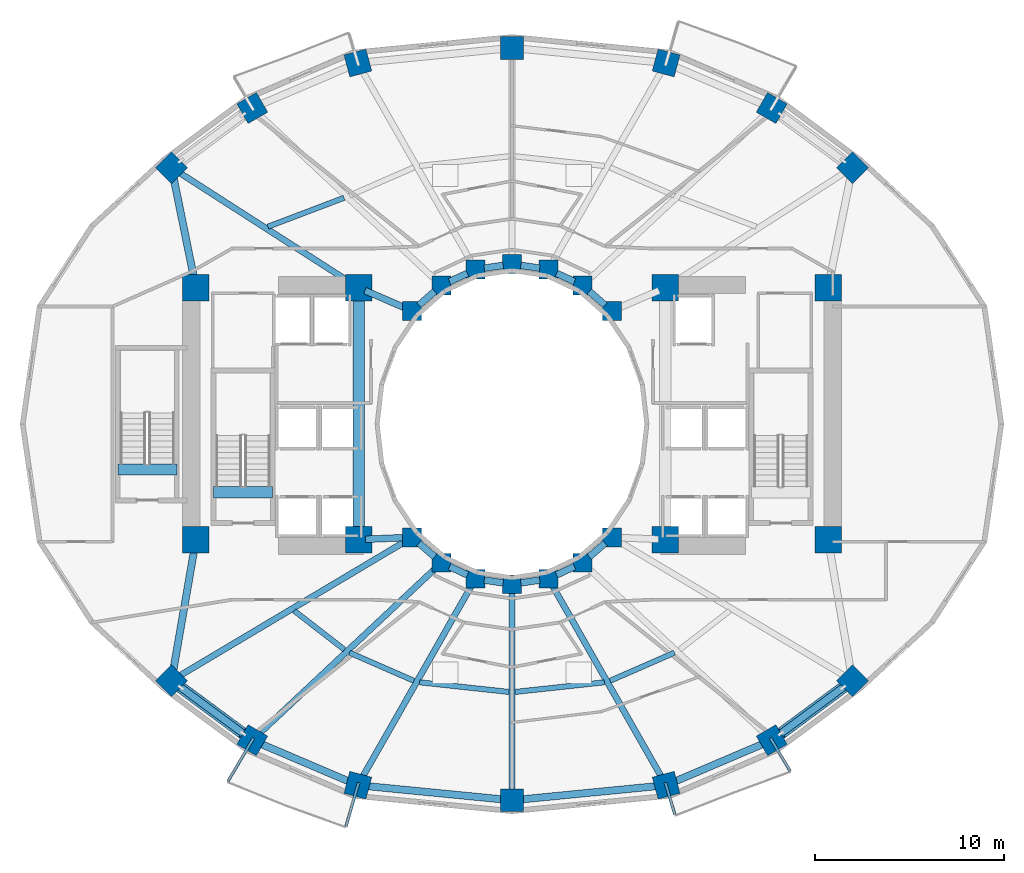
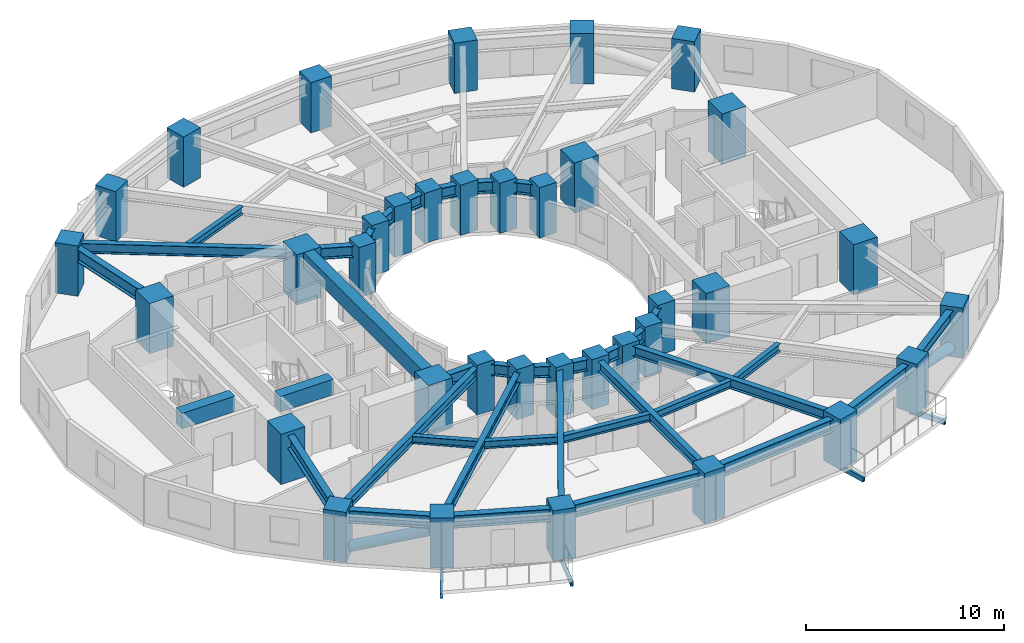
# One storey, part 1 of 10: 41 beams, 36 columns, 2 members.
"""IFC4 building model written with IfcOpenShell, lengths in metres."""

from ifc_helpers import new_model, si_unit, direction, frame, origin, origin_2d, place, context, subcontext, project, spatial, rectangle, hollow_rectangle, hollow_circle, i_section, extrude, material, material_profile, profile_set, type_object, element, save


model = new_model("IFC4")

# Units and contexts
model_context = context("Model", 3, precision=1e-05, world=origin(), true_north=direction((0.0, 1.0)))
body_context = subcontext(model_context, "Body", "Model", "MODEL_VIEW")
ifc_project = project(units=[si_unit("LENGTHUNIT", "METRE"), si_unit("AREAUNIT", "SQUARE_METRE"), si_unit("VOLUMEUNIT", "CUBIC_METRE"), si_unit("PLANEANGLEUNIT", "RADIAN"), si_unit("MASSUNIT", "GRAM", prefix="KILO")], contexts=[model_context])

# Site, building, storey
site_placement = place(None, origin())
site = spatial("IfcSite", under=ifc_project, at=site_placement, CompositionType="ELEMENT")
building_placement = place(site_placement, origin())
building = spatial("IfcBuilding", under=site, at=building_placement, Name="Solvane Sanctuary Tower", CompositionType="ELEMENT")
storey_placement = place(building_placement, frame((0.0, 0.0, 30.699951171875)))
storey = spatial("IfcBuildingStorey", under=building, at=storey_placement, Name="L08", CompositionType="ELEMENT", Elevation=30.699951171875)

# Columns
ifc_material_1 = material(Name="Concrete C70/85", Category="concrete")
ifc_material_profile_1 = material_profile(ifc_material_1, rectangle(XDim=1.39990234375, YDim=1.39990234375, at=origin_2d()), Name="RC1400X1400")
ifc_profile_set_1 = profile_set([ifc_material_profile_1], Name="Concrete C70/85")
column_type_1 = type_object("IfcColumnType", Name="Column C-POD-INT RC1400X1400", PredefinedType="COLUMN", material=ifc_profile_set_1)
for number, where, z_axis, x_axis, name in (
    (1, (15.300048828125, 16.89990234375, 0.0), (0.0, 0.0, 1.0), (1.0, 0.0, 0.0), "L08 Core Corner Column CW1"),
    (2, (23.89990234375, 16.89990234375, 0.0), (0.0, 0.0, 1.0), (1.0, 0.0, 0.0), "L08 Core Corner Column CW2"),
    (3, (23.89990234375, 30.199951171875, 0.0), (0.0, 0.0, 1.0), (1.0, 0.0, 0.0), "L08 Core Corner Column CW3"),
    (4, (15.300048828125, 30.199951171875, 0.0), (0.0, 0.0, 1.0), (1.0, 0.0, 0.0), "L08 Core Corner Column CW4"),
    (5, (40.10009765625, 16.89990234375, 0.0), (0.0, 0.0, 1.0), (1.0, 0.0, 0.0), "L08 Core Corner Column CE1"),
    (6, (48.699951171875, 16.89990234375, 0.0), (0.0, 0.0, 1.0), (1.0, 0.0, 0.0), "L08 Core Corner Column CE2"),
    (7, (48.699951171875, 30.199951171875, 0.0), (0.0, 0.0, 1.0), (1.0, 0.0, 0.0), "L08 Core Corner Column CE3"),
    (8, (40.10009765625, 30.199951171875, 0.0), (0.0, 0.0, 1.0), (1.0, 0.0, 0.0), "L08 Core Corner Column CE4"),
):
    element("IfcColumn", number, at=place(storey_placement, frame(where, z_axis=z_axis, x_axis=x_axis)), inside=storey, type_object=column_type_1, Name=name, PredefinedType="COLUMN", context=body_context, shape_type="SweptSolid", body=[
        extrude(rectangle(XDim=1.39990234375, YDim=1.39990234375, at=origin_2d()), origin(), (0.0, 0.0, 1.0), 3.10009765625),
    ])
ifc_material_profile_2 = material_profile(ifc_material_1, rectangle(XDim=1.0, YDim=1.0, at=origin_2d()), Name="RC1000X1000")
ifc_profile_set_2 = profile_set([ifc_material_profile_2], Name="Concrete C70/85")
column_type_2 = type_object("IfcColumnType", Name="Column C-RING-Z1 RC1000X1000", PredefinedType="COLUMN", material=ifc_profile_set_2)
for number, where, z_axis, x_axis, name in (
    (9, (37.27490234375, 28.982177734375, 0.0), (0.0, 0.0, 1.0), (1.0, 0.0, 0.0), "L08 Inner Light-Well Ring Column IC01"),
    (10, (35.72998046875, 30.32666015625, 0.0), (0.0, 0.0, 1.0), (1.0, 0.0, 0.0), "L08 Inner Light-Well Ring Column IC02"),
    (11, (33.930908203125, 31.171630859375, 0.0), (0.0, 0.0, 1.0), (1.0, 0.0, 0.0), "L08 Inner Light-Well Ring Column IC03"),
    (12, (32.0, 31.4599609375, 0.0), (0.0, 0.0, 1.0), (1.0, 0.0, 0.0), "L08 Inner Light-Well Ring Column IC04"),
    (13, (30.069091796875, 31.171630859375, 0.0), (0.0, 0.0, 1.0), (1.0, 0.0, 0.0), "L08 Inner Light-Well Ring Column IC05"),
    (14, (28.27001953125, 30.32666015625, 0.0), (0.0, 0.0, 1.0), (1.0, 0.0, 0.0), "L08 Inner Light-Well Ring Column IC06"),
    (15, (26.72509765625, 28.982177734375, 0.0), (0.0, 0.0, 1.0), (1.0, 0.0, 0.0), "L08 Inner Light-Well Ring Column IC07"),
    (16, (26.72509765625, 17.017822265625, 0.0), (0.0, 0.0, 1.0), (1.0, 0.0, 0.0), "L08 Inner Light-Well Ring Column IC08"),
    (17, (28.27001953125, 15.67333984375, 0.0), (0.0, 0.0, 1.0), (1.0, 0.0, 0.0), "L08 Inner Light-Well Ring Column IC09"),
    (18, (30.069091796875, 14.828369140625, 0.0), (0.0, 0.0, 1.0), (1.0, 0.0, 0.0), "L08 Inner Light-Well Ring Column IC10"),
    (19, (32.0, 14.5400390625, 0.0), (0.0, 0.0, 1.0), (1.0, 0.0, 0.0), "L08 Inner Light-Well Ring Column IC11"),
    (20, (33.930908203125, 14.828369140625, 0.0), (0.0, 0.0, 1.0), (1.0, 0.0, 0.0), "L08 Inner Light-Well Ring Column IC12"),
    (21, (35.72998046875, 15.67333984375, 0.0), (0.0, 0.0, 1.0), (1.0, 0.0, 0.0), "L08 Inner Light-Well Ring Column IC13"),
    (22, (37.27490234375, 17.017822265625, 0.0), (0.0, 0.0, 1.0), (1.0, 0.0, 0.0), "L08 Inner Light-Well Ring Column IC14"),
):
    element("IfcColumn", number, at=place(storey_placement, frame(where, z_axis=z_axis, x_axis=x_axis)), inside=storey, type_object=column_type_2, Name=name, PredefinedType="COLUMN", context=body_context, shape_type="SweptSolid", body=[
        extrude(rectangle(XDim=1.0, YDim=1.0, at=origin_2d()), origin(), (0.0, 0.0, 1.0), 3.10009765625),
    ])
ifc_material_profile_3 = material_profile(ifc_material_1, rectangle(XDim=1.199951171875, YDim=1.199951171875, at=origin_2d()), Name="RC1200X1200")
ifc_profile_set_3 = profile_set([ifc_material_profile_3], Name="Concrete C70/85")
column_type_3 = type_object("IfcColumnType", Name="Column C-TUBE-Z1 RC1200X1200", PredefinedType="COLUMN", material=ifc_profile_set_3)
for number, where, z_axis, x_axis, name in (
    (23, (49.99169921875, 36.5537109375, 0.0), (0.0, 0.0, 1.0), (0.707106781187, 0.707106781187, 0.0), "L08 Perimeter Tube Column TC01"),
    (24, (45.727294921875, 39.7041015625, 0.0), (0.0, 0.0, 1.0), (0.5, 0.866025403784, 0.0), "L08 Perimeter Tube Column TC02"),
    (25, (40.14501953125, 42.083740234375, 0.0), (0.0, 0.0, 1.0), (0.258819045103, 0.965925826289, 0.0), "L08 Perimeter Tube Column TC03"),
    (26, (32.0, 42.8798828125, 0.0), (0.0, 0.0, 1.0), (0.0, 1.0, 0.0), "L08 Perimeter Tube Column TC04"),
    (27, (23.85498046875, 42.083740234375, 0.0), (0.0, 0.0, 1.0), (-0.258819045103, 0.965925826289, 0.0), "L08 Perimeter Tube Column TC05"),
    (28, (18.272705078125, 39.7041015625, 0.0), (0.0, 0.0, 1.0), (-0.5, 0.866025403784, 0.0), "L08 Perimeter Tube Column TC06"),
    (29, (14.00830078125, 36.5537109375, 0.0), (0.0, 0.0, 1.0), (-0.707106781187, 0.707106781187, 0.0), "L08 Perimeter Tube Column TC07"),
    (30, (14.00830078125, 9.4462890625, 0.0), (0.0, 0.0, 1.0), (-0.707106781187, -0.707106781187, 0.0), "L08 Perimeter Tube Column TC08"),
    (31, (18.272705078125, 6.2958984375, 0.0), (0.0, 0.0, 1.0), (-0.5, -0.866025403784, 0.0), "L08 Perimeter Tube Column TC09"),
    (32, (23.85498046875, 3.916259765625, 0.0), (0.0, 0.0, 1.0), (-0.258819045103, -0.965925826289, 0.0), "L08 Perimeter Tube Column TC10"),
    (33, (32.0, 3.1201171875, 0.0), (0.0, 0.0, 1.0), (0.0, -1.0, 0.0), "L08 Perimeter Tube Column TC11"),
    (34, (40.14501953125, 3.916259765625, 0.0), (0.0, 0.0, 1.0), (0.258819045103, -0.965925826289, 0.0), "L08 Perimeter Tube Column TC12"),
    (35, (45.727294921875, 6.2958984375, 0.0), (0.0, 0.0, 1.0), (0.5, -0.866025403784, 0.0), "L08 Perimeter Tube Column TC13"),
    (36, (49.99169921875, 9.4462890625, 0.0), (0.0, 0.0, 1.0), (0.707106781187, -0.707106781187, 0.0), "L08 Perimeter Tube Column TC14"),
):
    element("IfcColumn", number, at=place(storey_placement, frame(where, z_axis=z_axis, x_axis=x_axis)), inside=storey, type_object=column_type_3, Name=name, PredefinedType="COLUMN", context=body_context, shape_type="SweptSolid", body=[
        extrude(rectangle(XDim=1.199951171875, YDim=1.199951171875, at=origin_2d()), origin(), (0.0, 0.0, 1.0), 3.10009765625),
    ])

# Beams
ifc_material_2 = material(Name="Steel ASTM A500 Grade C", Category="steel")
ifc_material_profile_4 = material_profile(ifc_material_2, hollow_rectangle(XDim=0.14990234375, YDim=0.300048828125, WallThickness=0.010009765625, at=origin_2d()), Name="HSS300X150X10")
ifc_profile_set_4 = profile_set([ifc_material_profile_4], Name="Steel ASTM A500 Grade C")
beam_type_1 = type_object("IfcBeamType", Name="Beam B-BALC-BRK HSS300X150X10", PredefinedType="BEAM", material=ifc_profile_set_4)
beam_1_placement = place(storey_placement, frame((18.349365234375, 6.425048828125, -0.3720703125), z_axis=(-0.509702447383, -0.860350751224, 0.0), x_axis=(0.860350751224, -0.509702447383, 0.0)))
element("IfcBeam", 37, at=beam_1_placement, inside=storey, type_object=beam_type_1, Name="L08 Balcony Bracket S1-1", PredefinedType="BEAM", context=body_context, shape_type="SweptSolid", body=[
    extrude(hollow_rectangle(XDim=0.14990234375, YDim=0.300048828125, WallThickness=0.010009765625, at=origin_2d()), origin(), (0.0, 0.0, 1.0), 2.678466796875),
])
beam_2_placement = place(storey_placement, frame((23.896484375, 4.060302734375, -0.3720703125), z_axis=(-0.276710107222, -0.960953441412, 0.0), x_axis=(0.960953441412, -0.276710107222, 0.0)))
element("IfcBeam", 38, at=beam_2_placement, inside=storey, type_object=beam_type_1, Name="L08 Balcony Bracket S1-2", PredefinedType="BEAM", context=body_context, shape_type="SweptSolid", body=[
    extrude(hollow_rectangle(XDim=0.14990234375, YDim=0.300048828125, WallThickness=0.010009765625, at=origin_2d()), origin(), (0.0, 0.0, 1.0), 2.414794921875),
])
beam_3_placement = place(storey_placement, frame((40.102294921875, 4.060302734375, -0.3720703125), z_axis=(0.283291814516, -0.959033757398, 0.0), x_axis=(0.959033757398, 0.283291814516, 0.0)))
element("IfcBeam", 39, at=beam_3_placement, inside=storey, type_object=beam_type_1, Name="L08 Balcony Bracket S2-1", PredefinedType="BEAM", context=body_context, shape_type="SweptSolid", body=[
    extrude(hollow_rectangle(XDim=0.14990234375, YDim=0.300048828125, WallThickness=0.010009765625, at=origin_2d()), origin(), (0.0, 0.0, 1.0), 1.78466796875),
])
beam_4_placement = place(storey_placement, frame((45.650390625, 6.4248046875, -0.3720703125), z_axis=(0.512688631815, -0.858574613419, 0.0), x_axis=(0.858574613419, 0.512688631815, 0.0)))
element("IfcBeam", 40, at=beam_4_placement, inside=storey, type_object=beam_type_1, Name="L08 Balcony Bracket S2-2", PredefinedType="BEAM", context=body_context, shape_type="SweptSolid", body=[
    extrude(hollow_rectangle(XDim=0.14990234375, YDim=0.300048828125, WallThickness=0.010009765625, at=origin_2d()), origin(), (0.0, 0.0, 1.0), 2.047607421875),
])
ifc_material_profile_5 = material_profile(ifc_material_1, rectangle(XDim=0.60009765625, YDim=0.949951171875, at=origin_2d()), Name="RC600X950")
ifc_profile_set_5 = profile_set([ifc_material_profile_5], Name="Concrete C70/85")
beam_type_2 = type_object("IfcBeamType", Name="Beam B-COUPLE RC600X950", PredefinedType="LINTEL", material=ifc_profile_set_5)
beam_5_placement = place(storey_placement, frame((23.89990234375, 17.35009765625, 2.625), z_axis=(0.0, 1.0, 0.0), x_axis=(-1.0, 0.0, 0.0)))
element("IfcBeam", 41, at=beam_5_placement, inside=storey, type_object=beam_type_2, Name="L08 West Core Coupling Lintel", PredefinedType="LINTEL", context=body_context, shape_type="SweptSolid", body=[
    extrude(rectangle(XDim=0.60009765625, YDim=0.949951171875, at=origin_2d()), origin(), (0.0, 0.0, 1.0), 12.39990234375),
])
for number, where, z_axis, x_axis, name in (
    (42, (16.22998046875, 19.399169921875, 2.625), (1.0, 0.0, 0.0), (0.0, 1.0, 0.0), "L08 ST-1 Stair Floor Landing Trimmer"),
    (43, (11.169921875, 20.59912109375, 2.625), (1.0, 0.0, 0.0), (0.0, 1.0, 0.0), "L08 ST-3 Stair Floor Landing Trimmer"),
):
    element("IfcBeam", number, at=place(storey_placement, frame(where, z_axis=z_axis, x_axis=x_axis)), inside=storey, type_object=beam_type_2, Name=name, PredefinedType="LINTEL", context=body_context, shape_type="SweptSolid", body=[
        extrude(rectangle(XDim=0.60009765625, YDim=0.949951171875, at=origin_2d()), origin(), (0.0, 0.0, 1.0), 3.1201171875),
    ])
ifc_material_3 = material(Name="Steel ASTM A992 Grade 50", Category="steel")
ifc_material_profile_6 = material_profile(ifc_material_3, i_section(OverallWidth=0.323974609375, OverallDepth=0.611083984375, WebThickness=0.0126953125, FlangeThickness=0.01904296875, FilletRadius=0.01611328125, at=origin_2d()), Name="W24X104")
ifc_profile_set_6 = profile_set([ifc_material_profile_6], Name="Steel ASTM A992 Grade 50")
beam_type_3 = type_object("IfcBeamType", Name="Beam B-RAD-Z1 W24X104", PredefinedType="BEAM", material=ifc_profile_set_6)
beam_6_placement = place(storey_placement, frame((23.59716796875, 30.39453125, 2.572509765625), z_axis=(-0.841383207998, 0.540438985733, 0.0), x_axis=(-0.540438985733, -0.841383207998, 0.0)))
element("IfcBeam", 44, at=beam_6_placement, inside=storey, type_object=beam_type_3, Name="L08 Radial Composite Floor Beam 07", PredefinedType="BEAM", context=body_context, shape_type="SweptSolid", body=[
    extrude(i_section(OverallWidth=0.323974609375, OverallDepth=0.611083984375, WebThickness=0.0126953125, FlangeThickness=0.01904296875, FilletRadius=0.01611328125, at=origin_2d()), origin(), (0.0, 0.0, 1.0), 11.116455078125),
])
beam_7_placement = place(storey_placement, frame((26.484375, 16.874755859375, 2.572509765625), z_axis=(-0.859229187027, -0.511590856214, 0.0), x_axis=(0.511590856214, -0.859229187027, 0.0)))
element("IfcBeam", 45, at=beam_7_placement, inside=storey, type_object=beam_type_3, Name="L08 Radial Composite Floor Beam 08", PredefinedType="BEAM", context=body_context, shape_type="SweptSolid", body=[
    extrude(i_section(OverallWidth=0.323974609375, OverallDepth=0.611083984375, WebThickness=0.0126953125, FlangeThickness=0.01904296875, FilletRadius=0.01611328125, at=origin_2d()), origin(), (0.0, 0.0, 1.0), 14.240234375),
])
beam_8_placement = place(storey_placement, frame((28.06591796875, 15.481689453125, 2.572509765625), z_axis=(-0.729363446859, -0.68412642281, 0.0), x_axis=(0.68412642281, -0.729363446859, 0.0)))
element("IfcBeam", 46, at=beam_8_placement, inside=storey, type_object=beam_type_3, Name="L08 Radial Composite Floor Beam 09", PredefinedType="BEAM", context=body_context, shape_type="SweptSolid", body=[
    extrude(i_section(OverallWidth=0.323974609375, OverallDepth=0.611083984375, WebThickness=0.0126953125, FlangeThickness=0.01904296875, FilletRadius=0.01611328125, at=origin_2d()), origin(), (0.0, 0.0, 1.0), 13.14697265625),
])
beam_9_placement = place(storey_placement, frame((29.9306640625, 14.5849609375, 2.572509765625), z_axis=(-0.494862949167, -0.868971036078, 0.0), x_axis=(0.868971036078, -0.494862949167, 0.0)))
element("IfcBeam", 47, at=beam_9_placement, inside=storey, type_object=beam_type_3, Name="L08 Radial Composite Floor Beam 10", PredefinedType="BEAM", context=body_context, shape_type="SweptSolid", body=[
    extrude(i_section(OverallWidth=0.323974609375, OverallDepth=0.611083984375, WebThickness=0.0126953125, FlangeThickness=0.01904296875, FilletRadius=0.01611328125, at=origin_2d()), origin(), (0.0, 0.0, 1.0), 11.997314453125),
])
beam_10_placement = place(storey_placement, frame((32.0, 14.260009765625, 2.572509765625), z_axis=(0.0, -1.0, 0.0), x_axis=(1.0, 0.0, 0.0)))
element("IfcBeam", 48, at=beam_10_placement, inside=storey, type_object=beam_type_3, Name="L08 Radial Composite Floor Beam 11", PredefinedType="BEAM", context=body_context, shape_type="SweptSolid", body=[
    extrude(i_section(OverallWidth=0.323974609375, OverallDepth=0.611083984375, WebThickness=0.0126953125, FlangeThickness=0.01904296875, FilletRadius=0.01611328125, at=origin_2d()), origin(), (0.0, 0.0, 1.0), 10.860107421875),
])
beam_11_placement = place(storey_placement, frame((34.0693359375, 14.5849609375, 2.572509765625), z_axis=(0.494862949167, -0.868971036078, 0.0), x_axis=(0.868971036078, 0.494862949167, 0.0)))
element("IfcBeam", 49, at=beam_11_placement, inside=storey, type_object=beam_type_3, Name="L08 Radial Composite Floor Beam 12", PredefinedType="BEAM", context=body_context, shape_type="SweptSolid", body=[
    extrude(i_section(OverallWidth=0.323974609375, OverallDepth=0.611083984375, WebThickness=0.0126953125, FlangeThickness=0.01904296875, FilletRadius=0.01611328125, at=origin_2d()), origin(), (0.0, 0.0, 1.0), 11.997314453125),
])
ifc_material_profile_7 = material_profile(ifc_material_3, i_section(OverallWidth=0.35498046875, OverallDepth=0.695068359375, WebThickness=0.015380859375, FlangeThickness=0.02490234375, FilletRadius=0.01806640625, at=origin_2d()), Name="W27X146")
ifc_profile_set_7 = profile_set([ifc_material_profile_7], Name="Steel ASTM A992 Grade 50")
beam_type_4 = type_object("IfcBeamType", Name="Beam B-RING-IN1 W27X146", PredefinedType="BEAM", material=ifc_profile_set_7)
beam_12_placement = place(storey_placement, frame((24.230712890625, 30.0576171875, 2.530517578125), z_axis=(0.918277080365, -0.395938383687, 0.0), x_axis=(0.395938383687, 0.918277080365, 0.0)))
element("IfcBeam", 50, at=beam_12_placement, inside=storey, type_object=beam_type_4, Name="L08 Inner Light-Well Ring Beam CW3-IC07", PredefinedType="BEAM", context=body_context, shape_type="SweptSolid", body=[
    extrude(i_section(OverallWidth=0.35498046875, OverallDepth=0.695068359375, WebThickness=0.015380859375, FlangeThickness=0.02490234375, FilletRadius=0.01806640625, at=origin_2d()), origin(), (0.0, 0.0, 1.0), 2.246337890625),
])
beam_13_placement = place(storey_placement, frame((27.07958984375, 29.29052734375, 2.530517578125), z_axis=(0.754320881993, 0.65650590781, 0.0), x_axis=(-0.65650590781, 0.754320881993, 0.0)))
element("IfcBeam", 51, at=beam_13_placement, inside=storey, type_object=beam_type_4, Name="L08 Inner Light-Well Ring Beam IC07-IC06", PredefinedType="BEAM", context=body_context, shape_type="SweptSolid", body=[
    extrude(i_section(OverallWidth=0.35498046875, OverallDepth=0.695068359375, WebThickness=0.015380859375, FlangeThickness=0.02490234375, FilletRadius=0.01806640625, at=origin_2d()), origin(), (0.0, 0.0, 1.0), 1.108154296875),
])
beam_14_placement = place(storey_placement, frame((28.6953125, 30.5263671875, 2.530517578125), z_axis=(0.905108885866, 0.42517984986, 0.0), x_axis=(-0.42517984986, 0.905108885866, 0.0)))
element("IfcBeam", 52, at=beam_14_placement, inside=storey, type_object=beam_type_4, Name="L08 Inner Light-Well Ring Beam IC06-IC05", PredefinedType="BEAM", context=body_context, shape_type="SweptSolid", body=[
    extrude(i_section(OverallWidth=0.35498046875, OverallDepth=0.695068359375, WebThickness=0.015380859375, FlangeThickness=0.02490234375, FilletRadius=0.01806640625, at=origin_2d()), origin(), (0.0, 0.0, 1.0), 1.0478515625),
])
for number, where, z_axis, x_axis, name in (
    (53, (30.533935546875, 31.2412109375, 2.530517578125), (0.989047520133, 0.147597435338, 0.0), (-0.147597435338, 0.989047520133, 0.0), "L08 Inner Light-Well Ring Beam IC05-IC04"),
    (54, (32.46484375, 31.390625, 2.530517578125), (0.989047520133, -0.147597435338, 0.0), (0.147597435338, 0.989047520133, 0.0), "L08 Inner Light-Well Ring Beam IC04-IC03"),
):
    element("IfcBeam", number, at=place(storey_placement, frame(where, z_axis=z_axis, x_axis=x_axis)), inside=storey, type_object=beam_type_4, Name=name, PredefinedType="BEAM", context=body_context, shape_type="SweptSolid", body=[
        extrude(i_section(OverallWidth=0.35498046875, OverallDepth=0.695068359375, WebThickness=0.015380859375, FlangeThickness=0.02490234375, FilletRadius=0.01806640625, at=origin_2d()), origin(), (0.0, 0.0, 1.0), 1.01220703125),
    ])
beam_15_placement = place(storey_placement, frame((34.356201171875, 30.971923828125, 2.530517578125), z_axis=(0.905108885866, -0.42517984986, 0.0), x_axis=(0.42517984986, 0.905108885866, 0.0)))
element("IfcBeam", 55, at=beam_15_placement, inside=storey, type_object=beam_type_4, Name="L08 Inner Light-Well Ring Beam IC03-IC02", PredefinedType="BEAM", context=body_context, shape_type="SweptSolid", body=[
    extrude(i_section(OverallWidth=0.35498046875, OverallDepth=0.695068359375, WebThickness=0.015380859375, FlangeThickness=0.02490234375, FilletRadius=0.01806640625, at=origin_2d()), origin(), (0.0, 0.0, 1.0), 1.0478515625),
])
beam_16_placement = place(storey_placement, frame((36.08447265625, 30.01806640625, 2.530517578125), z_axis=(0.754320881993, -0.65650590781, 0.0), x_axis=(0.65650590781, 0.754320881993, 0.0)))
element("IfcBeam", 56, at=beam_16_placement, inside=storey, type_object=beam_type_4, Name="L08 Inner Light-Well Ring Beam IC02-IC01", PredefinedType="BEAM", context=body_context, shape_type="SweptSolid", body=[
    extrude(i_section(OverallWidth=0.35498046875, OverallDepth=0.695068359375, WebThickness=0.015380859375, FlangeThickness=0.02490234375, FilletRadius=0.01806640625, at=origin_2d()), origin(), (0.0, 0.0, 1.0), 1.108154296875),
])
beam_17_placement = place(storey_placement, frame((24.259765625, 16.9150390625, 2.530517578125), z_axis=(0.999130953379, 0.041681386726, 0.0), x_axis=(-0.041681386726, 0.999130953379, 0.0)))
element("IfcBeam", 57, at=beam_17_placement, inside=storey, type_object=beam_type_4, Name="L08 Inner Light-Well Ring Beam CW2-IC08", PredefinedType="BEAM", context=body_context, shape_type="SweptSolid", body=[
    extrude(i_section(OverallWidth=0.35498046875, OverallDepth=0.695068359375, WebThickness=0.015380859375, FlangeThickness=0.02490234375, FilletRadius=0.01806640625, at=origin_2d()), origin(), (0.0, 0.0, 1.0), 1.997314453125),
])
beam_18_placement = place(storey_placement, frame((27.07958984375, 16.70947265625, 2.530517578125), z_axis=(0.754320881993, -0.65650590781, 0.0), x_axis=(0.65650590781, 0.754320881993, 0.0)))
element("IfcBeam", 58, at=beam_18_placement, inside=storey, type_object=beam_type_4, Name="L08 Inner Light-Well Ring Beam IC08-IC09", PredefinedType="BEAM", context=body_context, shape_type="SweptSolid", body=[
    extrude(i_section(OverallWidth=0.35498046875, OverallDepth=0.695068359375, WebThickness=0.015380859375, FlangeThickness=0.02490234375, FilletRadius=0.01806640625, at=origin_2d()), origin(), (0.0, 0.0, 1.0), 1.108154296875),
])
beam_19_placement = place(storey_placement, frame((28.6953125, 15.4736328125, 2.530517578125), z_axis=(0.905108885866, -0.42517984986, 0.0), x_axis=(0.42517984986, 0.905108885866, 0.0)))
element("IfcBeam", 59, at=beam_19_placement, inside=storey, type_object=beam_type_4, Name="L08 Inner Light-Well Ring Beam IC09-IC10", PredefinedType="BEAM", context=body_context, shape_type="SweptSolid", body=[
    extrude(i_section(OverallWidth=0.35498046875, OverallDepth=0.695068359375, WebThickness=0.015380859375, FlangeThickness=0.02490234375, FilletRadius=0.01806640625, at=origin_2d()), origin(), (0.0, 0.0, 1.0), 1.0478515625),
])
for number, where, z_axis, x_axis, name in (
    (60, (30.533935546875, 14.7587890625, 2.530517578125), (0.989047520133, -0.147597435338, 0.0), (0.147597435338, 0.989047520133, 0.0), "L08 Inner Light-Well Ring Beam IC10-IC11"),
    (61, (32.46484375, 14.609375, 2.530517578125), (0.989047520133, 0.147597435338, 0.0), (-0.147597435338, 0.989047520133, 0.0), "L08 Inner Light-Well Ring Beam IC11-IC12"),
):
    element("IfcBeam", number, at=place(storey_placement, frame(where, z_axis=z_axis, x_axis=x_axis)), inside=storey, type_object=beam_type_4, Name=name, PredefinedType="BEAM", context=body_context, shape_type="SweptSolid", body=[
        extrude(i_section(OverallWidth=0.35498046875, OverallDepth=0.695068359375, WebThickness=0.015380859375, FlangeThickness=0.02490234375, FilletRadius=0.01806640625, at=origin_2d()), origin(), (0.0, 0.0, 1.0), 1.01220703125),
    ])
beam_20_placement = place(storey_placement, frame((34.356201171875, 15.028076171875, 2.530517578125), z_axis=(0.905108885866, 0.42517984986, 0.0), x_axis=(-0.42517984986, 0.905108885866, 0.0)))
element("IfcBeam", 62, at=beam_20_placement, inside=storey, type_object=beam_type_4, Name="L08 Inner Light-Well Ring Beam IC12-IC13", PredefinedType="BEAM", context=body_context, shape_type="SweptSolid", body=[
    extrude(i_section(OverallWidth=0.35498046875, OverallDepth=0.695068359375, WebThickness=0.015380859375, FlangeThickness=0.02490234375, FilletRadius=0.01806640625, at=origin_2d()), origin(), (0.0, 0.0, 1.0), 1.0478515625),
])
beam_21_placement = place(storey_placement, frame((36.08447265625, 15.98193359375, 2.530517578125), z_axis=(0.754320881993, 0.65650590781, 0.0), x_axis=(-0.65650590781, 0.754320881993, 0.0)))
element("IfcBeam", 63, at=beam_21_placement, inside=storey, type_object=beam_type_4, Name="L08 Inner Light-Well Ring Beam IC13-IC14", PredefinedType="BEAM", context=body_context, shape_type="SweptSolid", body=[
    extrude(i_section(OverallWidth=0.35498046875, OverallDepth=0.695068359375, WebThickness=0.015380859375, FlangeThickness=0.02490234375, FilletRadius=0.01806640625, at=origin_2d()), origin(), (0.0, 0.0, 1.0), 1.108154296875),
])
ifc_material_profile_8 = material_profile(ifc_material_3, i_section(OverallWidth=0.280029296875, OverallDepth=0.462890625, WebThickness=0.0107421875, FlangeThickness=0.017333984375, FilletRadius=0.013916015625, at=origin_2d()), Name="W18X76")
ifc_profile_set_8 = profile_set([ifc_material_profile_8], Name="Steel ASTM A992 Grade 50")
beam_type_5 = type_object("IfcBeamType", Name="Beam B-SEC-JOIST W18X76", PredefinedType="JOIST", material=ifc_profile_set_8)
beam_22_placement = place(storey_placement, frame((19.100830078125, 33.4326171875, 2.646484375), z_axis=(0.934930049376, 0.354832076867, 0.0), x_axis=(-0.354832076867, 0.934930049376, 0.0)))
element("IfcBeam", 64, at=beam_22_placement, inside=storey, type_object=beam_type_5, Name="L08 Secondary Circumferential Joist 07-06", PredefinedType="JOIST", context=body_context, shape_type="SweptSolid", body=[
    extrude(i_section(OverallWidth=0.280029296875, OverallDepth=0.462890625, WebThickness=0.0107421875, FlangeThickness=0.017333984375, FilletRadius=0.013916015625, at=origin_2d()), origin(), (0.0, 0.0, 1.0), 4.3037109375),
])
beam_23_placement = place(storey_placement, frame((20.49072265625, 13.135986328125, 2.646484375), z_axis=(0.790934777094, -0.611900464441, 0.0), x_axis=(0.611900464441, 0.790934777094, 0.0)))
element("IfcBeam", 65, at=beam_23_placement, inside=storey, type_object=beam_type_5, Name="L08 Secondary Circumferential Joist 08-09", PredefinedType="JOIST", context=body_context, shape_type="SweptSolid", body=[
    extrude(i_section(OverallWidth=0.280029296875, OverallDepth=0.462890625, WebThickness=0.0107421875, FlangeThickness=0.017333984375, FilletRadius=0.013916015625, at=origin_2d()), origin(), (0.0, 0.0, 1.0), 3.358642578125),
])
beam_24_placement = place(storey_placement, frame((23.415283203125, 10.921875, 2.646484375), z_axis=(0.916382007922, -0.400304903238, 0.0), x_axis=(0.400304903238, 0.916382007922, 0.0)))
element("IfcBeam", 66, at=beam_24_placement, inside=storey, type_object=beam_type_5, Name="L08 Secondary Circumferential Joist 09-10", PredefinedType="JOIST", context=body_context, shape_type="SweptSolid", body=[
    extrude(i_section(OverallWidth=0.280029296875, OverallDepth=0.462890625, WebThickness=0.0107421875, FlangeThickness=0.017333984375, FilletRadius=0.013916015625, at=origin_2d()), origin(), (0.0, 0.0, 1.0), 3.713623046875),
])
for number, where, z_axis, x_axis, name in (
    (67, (27.118408203125, 9.35546875, 2.646484375), (0.994253832067, -0.107048201386, 0.0), (0.107048201386, 0.994253832067, 0.0), "L08 Secondary Circumferential Joist 10-11"),
    (68, (32.156005859375, 8.8466796875, 2.646484375), (0.994253832067, 0.107048201386, 0.0), (-0.107048201386, 0.994253832067, 0.0), "L08 Secondary Circumferential Joist 11-12"),
):
    element("IfcBeam", number, at=place(storey_placement, frame(where, z_axis=z_axis, x_axis=x_axis)), inside=storey, type_object=beam_type_5, Name=name, PredefinedType="JOIST", context=body_context, shape_type="SweptSolid", body=[
        extrude(i_section(OverallWidth=0.280029296875, OverallDepth=0.462890625, WebThickness=0.0107421875, FlangeThickness=0.017333984375, FilletRadius=0.013916015625, at=origin_2d()), origin(), (0.0, 0.0, 1.0), 4.7529296875),
    ])
beam_25_placement = place(storey_placement, frame((37.181640625, 9.435302734375, 2.646484375), z_axis=(0.916382007922, 0.400304903238, 0.0), x_axis=(-0.400304903238, 0.916382007922, 0.0)))
element("IfcBeam", 69, at=beam_25_placement, inside=storey, type_object=beam_type_5, Name="L08 Secondary Circumferential Joist 12-13", PredefinedType="JOIST", context=body_context, shape_type="SweptSolid", body=[
    extrude(i_section(OverallWidth=0.280029296875, OverallDepth=0.462890625, WebThickness=0.0107421875, FlangeThickness=0.017333984375, FilletRadius=0.013916015625, at=origin_2d()), origin(), (0.0, 0.0, 1.0), 3.713623046875),
])
ifc_material_profile_9 = material_profile(ifc_material_3, i_section(OverallWidth=0.382080078125, OverallDepth=0.779052734375, WebThickness=0.01806640625, FlangeThickness=0.030029296875, FilletRadius=0.02001953125, at=origin_2d()), Name="W30X191")
ifc_profile_set_9 = profile_set([ifc_material_profile_9], Name="Steel ASTM A992 Grade 50")
beam_type_6 = type_object("IfcBeamType", Name="Beam B-SPAND-Z1 W30X191", PredefinedType="SPANDREL", material=ifc_profile_set_9)
beam_26_placement = place(storey_placement, frame((15.244140625, 30.474365234375, 2.488525390625), z_axis=(-0.199190417877, 0.979960804025, 0.0), x_axis=(-0.979960804025, -0.199190417877, 0.0)))
element("IfcBeam", 70, at=beam_26_placement, inside=storey, type_object=beam_type_6, Name="L08 Perimeter Spandrel Beam CW4-TC07", PredefinedType="SPANDREL", context=body_context, shape_type="SweptSolid", body=[
    extrude(i_section(OverallWidth=0.382080078125, OverallDepth=0.779052734375, WebThickness=0.01806640625, FlangeThickness=0.030029296875, FilletRadius=0.02001953125, at=origin_2d()), origin(), (0.0, 0.0, 1.0), 5.923583984375),
])
beam_27_placement = place(storey_placement, frame((15.252197265625, 16.6240234375, 2.488525390625), z_axis=(-0.170754238709, -0.985313650551, 0.0), x_axis=(0.985313650551, -0.170754238709, 0.0)))
element("IfcBeam", 71, at=beam_27_placement, inside=storey, type_object=beam_type_6, Name="L08 Perimeter Spandrel Beam CW1-TC08", PredefinedType="SPANDREL", context=body_context, shape_type="SweptSolid", body=[
    extrude(i_section(OverallWidth=0.382080078125, OverallDepth=0.779052734375, WebThickness=0.01806640625, FlangeThickness=0.030029296875, FilletRadius=0.02001953125, at=origin_2d()), origin(), (0.0, 0.0, 1.0), 7.00439453125),
])
beam_28_placement = place(storey_placement, frame((14.2333984375, 9.280029296875, 2.488525390625), z_axis=(0.804334467125, -0.594176796076, 0.0), x_axis=(0.594176796076, 0.804334467125, 0.0)))
element("IfcBeam", 72, at=beam_28_placement, inside=storey, type_object=beam_type_6, Name="L08 Perimeter Spandrel Beam TC08-TC09", PredefinedType="SPANDREL", context=body_context, shape_type="SweptSolid", body=[
    extrude(i_section(OverallWidth=0.382080078125, OverallDepth=0.779052734375, WebThickness=0.01806640625, FlangeThickness=0.030029296875, FilletRadius=0.02001953125, at=origin_2d()), origin(), (0.0, 0.0, 1.0), 4.7421875),
])
beam_29_placement = place(storey_placement, frame((18.530517578125, 6.18603515625, 2.488525390625), z_axis=(0.919906751835, -0.392137179988, 0.0), x_axis=(0.392137179988, 0.919906751835, 0.0)))
element("IfcBeam", 73, at=beam_29_placement, inside=storey, type_object=beam_type_6, Name="L08 Perimeter Spandrel Beam TC09-TC10", PredefinedType="SPANDREL", context=body_context, shape_type="SweptSolid", body=[
    extrude(i_section(OverallWidth=0.382080078125, OverallDepth=0.779052734375, WebThickness=0.01806640625, FlangeThickness=0.030029296875, FilletRadius=0.02001953125, at=origin_2d()), origin(), (0.0, 0.0, 1.0), 5.508056640625),
])
for number, where, z_axis, x_axis, name in (
    (74, (24.1337890625, 3.88916015625, 2.488525390625), (0.995252945064, -0.097322018793, 0.0), (0.097322018793, 0.995252945064, 0.0), "L08 Perimeter Spandrel Beam TC10-TC11"),
    (75, (32.27880859375, 3.147216796875, 2.488525390625), (0.995252945064, 0.097322018793, 0.0), (-0.097322018793, 0.995252945064, 0.0), "L08 Perimeter Spandrel Beam TC11-TC12"),
):
    element("IfcBeam", number, at=place(storey_placement, frame(where, z_axis=z_axis, x_axis=x_axis)), inside=storey, type_object=beam_type_6, Name=name, PredefinedType="SPANDREL", context=body_context, shape_type="SweptSolid", body=[
        extrude(i_section(OverallWidth=0.382080078125, OverallDepth=0.779052734375, WebThickness=0.01806640625, FlangeThickness=0.030029296875, FilletRadius=0.02001953125, at=origin_2d()), origin(), (0.0, 0.0, 1.0), 7.62353515625),
    ])
beam_30_placement = place(storey_placement, frame((40.402587890625, 4.026123046875, 2.488525390625), z_axis=(0.919906751835, 0.392137179988, 0.0), x_axis=(-0.392137179988, 0.919906751835, 0.0)))
element("IfcBeam", 76, at=beam_30_placement, inside=storey, type_object=beam_type_6, Name="L08 Perimeter Spandrel Beam TC12-TC13", PredefinedType="SPANDREL", context=body_context, shape_type="SweptSolid", body=[
    extrude(i_section(OverallWidth=0.382080078125, OverallDepth=0.779052734375, WebThickness=0.01806640625, FlangeThickness=0.030029296875, FilletRadius=0.02001953125, at=origin_2d()), origin(), (0.0, 0.0, 1.0), 5.508056640625),
])
beam_31_placement = place(storey_placement, frame((45.952392578125, 6.46240234375, 2.488525390625), z_axis=(0.804334467125, 0.594176796076, 0.0), x_axis=(-0.594176796076, 0.804334467125, 0.0)))
element("IfcBeam", 77, at=beam_31_placement, inside=storey, type_object=beam_type_6, Name="L08 Perimeter Spandrel Beam TC13-TC14", PredefinedType="SPANDREL", context=body_context, shape_type="SweptSolid", body=[
    extrude(i_section(OverallWidth=0.382080078125, OverallDepth=0.779052734375, WebThickness=0.01806640625, FlangeThickness=0.030029296875, FilletRadius=0.02001953125, at=origin_2d()), origin(), (0.0, 0.0, 1.0), 4.7421875),
])

# Members
ifc_material_profile_10 = material_profile(ifc_material_3, hollow_circle(Radius=0.304931640625, WallThickness=0.01611328125, at=origin_2d()), Name="CHS610X16")
ifc_profile_set_10 = profile_set([ifc_material_profile_10], Name="Steel ASTM A992 Grade 50")
member_type = type_object("IfcMemberType", Name="Member M-TUBE-Z1 CHS610X16", PredefinedType="BRACE", material=ifc_profile_set_10)
for number, where, z_axis, x_axis, name in (
    (78, (14.50390625, 9.080078125, 0.579833984375), (0.765137923591, -0.565199520065, 0.308404702302), (0.594161791503, 0.804345551065, 0.0), "L08 Perimeter Braced-Tube Diagonal SW"),
    (79, (49.49609375, 9.080078125, 0.579833984375), (-0.765137923591, -0.565199520065, 0.308404702302), (0.594161791503, -0.804345551065, 0.0), "L08 Perimeter Braced-Tube Diagonal SE"),
):
    element("IfcMember", number, at=place(storey_placement, frame(where, z_axis=z_axis, x_axis=x_axis)), inside=storey, type_object=member_type, Name=name, PredefinedType="BRACE", context=body_context, shape_type="SweptSolid", body=[
        extrude(hollow_circle(Radius=0.304931640625, WallThickness=0.01611328125, at=origin_2d()), origin(), (0.0, 0.0, 1.0), 4.281005859375),
    ])

save(model, "model.ifc")
